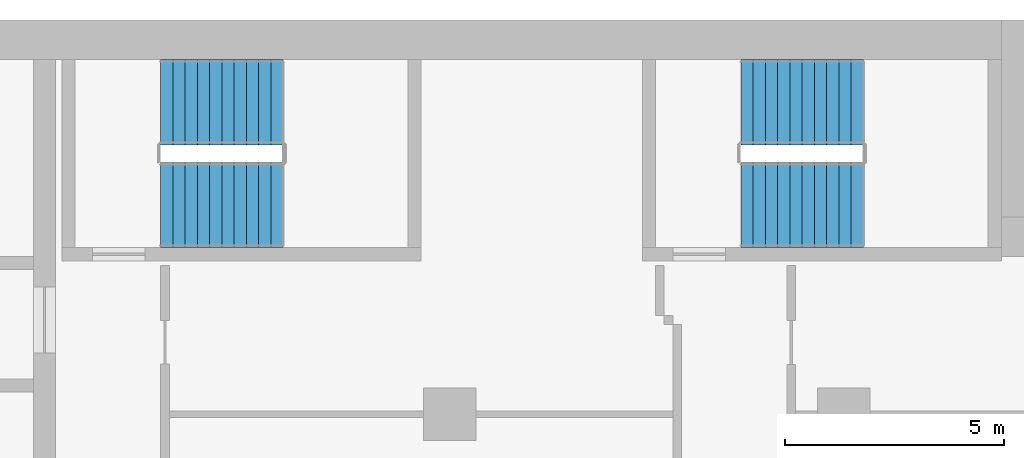
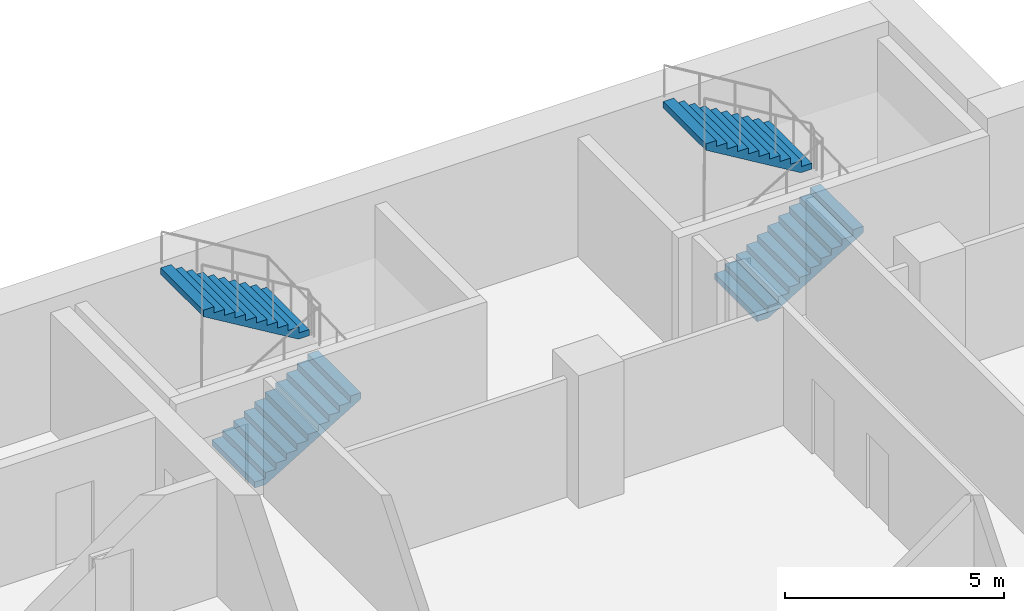
# One storey, part 18 of 23: 4 stair flights, 2 elements without a shape of their own.
"""IFC4 building model written with IfcOpenShell, lengths in metres."""

from ifc_helpers import new_model, si_unit, direction, frame, origin, place, context, subcontext, project, spatial, polyline, outline, extrude, material, type_object, element, aggregate, save


model = new_model("IFC4")

# Units and contexts
model_context = context("Model", 3, precision=1e-05, world=origin(), true_north=direction((0.0, 1.0)))
body_context = subcontext(model_context, "Body", "Model", "MODEL_VIEW")
ifc_project = project(units=[si_unit("LENGTHUNIT", "METRE"), si_unit("AREAUNIT", "SQUARE_METRE"), si_unit("VOLUMEUNIT", "CUBIC_METRE"), si_unit("PLANEANGLEUNIT", "RADIAN"), si_unit("MASSUNIT", "GRAM", prefix="KILO")], contexts=[model_context])

# Site, building, storey
site_placement = place(None, origin())
site = spatial("IfcSite", under=ifc_project, at=site_placement, CompositionType="ELEMENT")
building_placement = place(site_placement, origin())
building = spatial("IfcBuilding", under=site, at=building_placement, Name="Hunhe Ridgeline Campus", CompositionType="ELEMENT")
storey_placement = place(building_placement, frame((0.0, 0.0, 152.300048828125)))
storey = spatial("IfcBuildingStorey", under=building, at=storey_placement, Name="L38", CompositionType="ELEMENT", Elevation=152.300048828125)

# Stair, stair flights
ifc_material = material(Name="Concrete C40", Category="concrete")
stair_type = type_object("IfcStairType", Name="Reinforced concrete dog-leg stair 1950 Concrete C40", PredefinedType="HALF_TURN_STAIR", material=ifc_material)
stair_1_placement = place(storey_placement, origin())
stair_1 = element("IfcStair", 1, at=stair_1_placement, inside=storey, type_object=stair_type, Name="L38 E1", PredefinedType="HALF_TURN_STAIR")
stair_flight_type = type_object("IfcStairFlightType", Name="Reinforced concrete stair flight 1950 Concrete C40", PredefinedType="STRAIGHT", material=ifc_material)
stair_flight_1_placement = place(storey_placement, frame((38.39990234375, 94.77490234375, 0.0), z_axis=(0.0, 0.0, 1.0), x_axis=(1.0, 0.0, 0.0)))
stair_flight_1 = element("IfcStairFlight", 2, at=stair_flight_1_placement, type_object=stair_flight_type, Name="ST5 flight 1", NumberOfRisers=11, NumberOfTreads=10, PredefinedType="STRAIGHT", RiserHeight=0.168181818, TreadLength=0.28, context=body_context, shape_type="SweptSolid", body=[
    extrude(outline(polyline([(0.0, 0.0), (0.0, 0.168212890625), (0.280029296875, 0.168212890625), (0.280029296875, 0.33642578125), (0.56005859375, 0.33642578125), (0.56005859375, 0.504638671875), (0.840087890625, 0.504638671875), (0.840087890625, 0.672607421875), (1.1201171875, 0.672607421875), (1.1201171875, 0.8408203125), (1.39990234375, 0.8408203125), (1.39990234375, 1.009033203125), (1.679931640625, 1.009033203125), (1.679931640625, 1.17724609375), (1.9599609375, 1.17724609375), (1.9599609375, 1.345458984375), (2.239990234375, 1.345458984375), (2.239990234375, 1.513671875), (2.52001953125, 1.513671875), (2.52001953125, 1.681884765625), (2.800048828125, 1.681884765625), (2.800048828125, 1.85009765625), (2.800048828125, 1.5068359375), (0.291015625, 0.0), (0.0, 0.0)])), frame((0.0, 0.97509765625, 0.0), z_axis=(0.0, -1.0, 0.0), x_axis=(1.0, 0.0, 0.0)), (0.0, 0.0, 1.0), 1.949951171875),
    extrude(outline(polyline([(0.030029296875, 0.030029296875), (0.030029296875, 0.13818359375), (0.31005859375, 0.13818359375), (0.31005859375, 0.306396484375), (0.590087890625, 0.306396484375), (0.590087890625, 0.474609375), (0.8701171875, 0.474609375), (0.8701171875, 0.642578125), (1.14990234375, 0.642578125), (1.14990234375, 0.810791015625), (1.429931640625, 0.810791015625), (1.429931640625, 0.97900390625), (1.7099609375, 0.97900390625), (1.7099609375, 1.147216796875), (1.989990234375, 1.147216796875), (1.989990234375, 1.3154296875), (2.27001953125, 1.3154296875), (2.27001953125, 1.483642578125), (2.550048828125, 1.483642578125), (2.550048828125, 1.65185546875), (2.77001953125, 1.65185546875), (2.77001953125, 1.52392578125), (0.28271484375, 0.030029296875), (0.030029296875, 0.030029296875)])), frame((0.0, -0.070068359375, 0.0), z_axis=(0.0, -1.0, 0.0), x_axis=(1.0, 0.0, 0.0)), (0.0, 0.0, 1.0), 0.019775390625),
    extrude(outline(polyline([(0.030029296875, 0.030029296875), (0.030029296875, 0.13818359375), (0.31005859375, 0.13818359375), (0.31005859375, 0.306396484375), (0.590087890625, 0.306396484375), (0.590087890625, 0.474609375), (0.8701171875, 0.474609375), (0.8701171875, 0.642578125), (1.14990234375, 0.642578125), (1.14990234375, 0.810791015625), (1.429931640625, 0.810791015625), (1.429931640625, 0.97900390625), (1.7099609375, 0.97900390625), (1.7099609375, 1.147216796875), (1.989990234375, 1.147216796875), (1.989990234375, 1.3154296875), (2.27001953125, 1.3154296875), (2.27001953125, 1.483642578125), (2.550048828125, 1.483642578125), (2.550048828125, 1.65185546875), (2.77001953125, 1.65185546875), (2.77001953125, 1.52392578125), (0.28271484375, 0.030029296875), (0.030029296875, 0.030029296875)])), frame((0.0, 0.010009765625, 0.0), z_axis=(0.0, -1.0, 0.0), x_axis=(1.0, 0.0, 0.0)), (0.0, 0.0, 1.0), 0.019775390625),
    extrude(outline(polyline([(0.030029296875, 0.030029296875), (0.030029296875, 0.13818359375), (0.31005859375, 0.13818359375), (0.31005859375, 0.306396484375), (0.590087890625, 0.306396484375), (0.590087890625, 0.474609375), (0.8701171875, 0.474609375), (0.8701171875, 0.642578125), (1.14990234375, 0.642578125), (1.14990234375, 0.810791015625), (1.429931640625, 0.810791015625), (1.429931640625, 0.97900390625), (1.7099609375, 0.97900390625), (1.7099609375, 1.147216796875), (1.989990234375, 1.147216796875), (1.989990234375, 1.3154296875), (2.27001953125, 1.3154296875), (2.27001953125, 1.483642578125), (2.550048828125, 1.483642578125), (2.550048828125, 1.65185546875), (2.77001953125, 1.65185546875), (2.77001953125, 1.52392578125), (0.28271484375, 0.030029296875), (0.030029296875, 0.030029296875)])), frame((0.0, 0.090087890625, 0.0), z_axis=(0.0, -1.0, 0.0), x_axis=(1.0, 0.0, 0.0)), (0.0, 0.0, 1.0), 0.019775390625),
])
stair_flight_2_placement = place(storey_placement, frame((41.199951171875, 97.125, 1.849853515625), z_axis=(0.0, 0.0, 1.0), x_axis=(-1.0, 0.0, 0.0)))
stair_flight_2 = element("IfcStairFlight", 3, at=stair_flight_2_placement, type_object=stair_flight_type, Name="ST5 flight 2", NumberOfRisers=11, NumberOfTreads=10, PredefinedType="STRAIGHT", RiserHeight=0.168181818, TreadLength=0.28, context=body_context, shape_type="SweptSolid", body=[
    extrude(outline(polyline([(0.0, 0.0), (0.0, 0.168212890625), (0.280029296875, 0.168212890625), (0.280029296875, 0.33642578125), (0.56005859375, 0.33642578125), (0.56005859375, 0.504638671875), (0.840087890625, 0.504638671875), (0.840087890625, 0.672607421875), (1.1201171875, 0.672607421875), (1.1201171875, 0.8408203125), (1.39990234375, 0.8408203125), (1.39990234375, 1.009033203125), (1.679931640625, 1.009033203125), (1.679931640625, 1.17724609375), (1.9599609375, 1.17724609375), (1.9599609375, 1.345458984375), (2.239990234375, 1.345458984375), (2.239990234375, 1.513671875), (2.52001953125, 1.513671875), (2.52001953125, 1.681884765625), (2.800048828125, 1.681884765625), (2.800048828125, 1.85009765625), (2.800048828125, 1.5068359375), (0.291015625, 0.0), (0.0, 0.0)])), frame((0.0, 0.97509765625, 0.0), z_axis=(0.0, -1.0, 0.0), x_axis=(1.0, 0.0, 0.0)), (0.0, 0.0, 1.0), 1.949951171875),
    extrude(outline(polyline([(0.030029296875, 0.030029296875), (0.030029296875, 0.13818359375), (0.31005859375, 0.13818359375), (0.31005859375, 0.306396484375), (0.590087890625, 0.306396484375), (0.590087890625, 0.474609375), (0.8701171875, 0.474609375), (0.8701171875, 0.642578125), (1.14990234375, 0.642578125), (1.14990234375, 0.810791015625), (1.429931640625, 0.810791015625), (1.429931640625, 0.97900390625), (1.7099609375, 0.97900390625), (1.7099609375, 1.147216796875), (1.989990234375, 1.147216796875), (1.989990234375, 1.3154296875), (2.27001953125, 1.3154296875), (2.27001953125, 1.483642578125), (2.550048828125, 1.483642578125), (2.550048828125, 1.65185546875), (2.77001953125, 1.65185546875), (2.77001953125, 1.52392578125), (0.28271484375, 0.030029296875), (0.030029296875, 0.030029296875)])), frame((0.0, -0.070068359375, 0.0), z_axis=(0.0, -1.0, 0.0), x_axis=(1.0, 0.0, 0.0)), (0.0, 0.0, 1.0), 0.019775390625),
    extrude(outline(polyline([(0.030029296875, 0.030029296875), (0.030029296875, 0.13818359375), (0.31005859375, 0.13818359375), (0.31005859375, 0.306396484375), (0.590087890625, 0.306396484375), (0.590087890625, 0.474609375), (0.8701171875, 0.474609375), (0.8701171875, 0.642578125), (1.14990234375, 0.642578125), (1.14990234375, 0.810791015625), (1.429931640625, 0.810791015625), (1.429931640625, 0.97900390625), (1.7099609375, 0.97900390625), (1.7099609375, 1.147216796875), (1.989990234375, 1.147216796875), (1.989990234375, 1.3154296875), (2.27001953125, 1.3154296875), (2.27001953125, 1.483642578125), (2.550048828125, 1.483642578125), (2.550048828125, 1.65185546875), (2.77001953125, 1.65185546875), (2.77001953125, 1.52392578125), (0.28271484375, 0.030029296875), (0.030029296875, 0.030029296875)])), frame((0.0, 0.010009765625, 0.0), z_axis=(0.0, -1.0, 0.0), x_axis=(1.0, 0.0, 0.0)), (0.0, 0.0, 1.0), 0.019775390625),
    extrude(outline(polyline([(0.030029296875, 0.030029296875), (0.030029296875, 0.13818359375), (0.31005859375, 0.13818359375), (0.31005859375, 0.306396484375), (0.590087890625, 0.306396484375), (0.590087890625, 0.474609375), (0.8701171875, 0.474609375), (0.8701171875, 0.642578125), (1.14990234375, 0.642578125), (1.14990234375, 0.810791015625), (1.429931640625, 0.810791015625), (1.429931640625, 0.97900390625), (1.7099609375, 0.97900390625), (1.7099609375, 1.147216796875), (1.989990234375, 1.147216796875), (1.989990234375, 1.3154296875), (2.27001953125, 1.3154296875), (2.27001953125, 1.483642578125), (2.550048828125, 1.483642578125), (2.550048828125, 1.65185546875), (2.77001953125, 1.65185546875), (2.77001953125, 1.52392578125), (0.28271484375, 0.030029296875), (0.030029296875, 0.030029296875)])), frame((0.0, 0.090087890625, 0.0), z_axis=(0.0, -1.0, 0.0), x_axis=(1.0, 0.0, 0.0)), (0.0, 0.0, 1.0), 0.019775390625),
])
aggregate(stair_1, [stair_flight_1, stair_flight_2])

stair_2_placement = place(storey_placement, origin())
stair_2 = element("IfcStair", 4, at=stair_2_placement, inside=storey, type_object=stair_type, Name="L38 E2", PredefinedType="HALF_TURN_STAIR")
stair_flight_3_placement = place(storey_placement, frame((51.64990234375, 94.77490234375, 0.0), z_axis=(0.0, 0.0, 1.0), x_axis=(1.0, 0.0, 0.0)))
stair_flight_3 = element("IfcStairFlight", 5, at=stair_flight_3_placement, type_object=stair_flight_type, Name="ST6 flight 1", NumberOfRisers=11, NumberOfTreads=10, PredefinedType="STRAIGHT", RiserHeight=0.168181818, TreadLength=0.28, context=body_context, shape_type="SweptSolid", body=[
    extrude(outline(polyline([(0.0, 0.0), (0.0, 0.168212890625), (0.280029296875, 0.168212890625), (0.280029296875, 0.33642578125), (0.56005859375, 0.33642578125), (0.56005859375, 0.504638671875), (0.840087890625, 0.504638671875), (0.840087890625, 0.672607421875), (1.1201171875, 0.672607421875), (1.1201171875, 0.8408203125), (1.39990234375, 0.8408203125), (1.39990234375, 1.009033203125), (1.679931640625, 1.009033203125), (1.679931640625, 1.17724609375), (1.9599609375, 1.17724609375), (1.9599609375, 1.345458984375), (2.239990234375, 1.345458984375), (2.239990234375, 1.513671875), (2.52001953125, 1.513671875), (2.52001953125, 1.681884765625), (2.800048828125, 1.681884765625), (2.800048828125, 1.85009765625), (2.800048828125, 1.5068359375), (0.291015625, 0.0), (0.0, 0.0)])), frame((0.0, 0.97509765625, 0.0), z_axis=(0.0, -1.0, 0.0), x_axis=(1.0, 0.0, 0.0)), (0.0, 0.0, 1.0), 1.949951171875),
    extrude(outline(polyline([(0.030029296875, 0.030029296875), (0.030029296875, 0.13818359375), (0.31005859375, 0.13818359375), (0.31005859375, 0.306396484375), (0.590087890625, 0.306396484375), (0.590087890625, 0.474609375), (0.8701171875, 0.474609375), (0.8701171875, 0.642578125), (1.14990234375, 0.642578125), (1.14990234375, 0.810791015625), (1.429931640625, 0.810791015625), (1.429931640625, 0.97900390625), (1.7099609375, 0.97900390625), (1.7099609375, 1.147216796875), (1.989990234375, 1.147216796875), (1.989990234375, 1.3154296875), (2.27001953125, 1.3154296875), (2.27001953125, 1.483642578125), (2.550048828125, 1.483642578125), (2.550048828125, 1.65185546875), (2.77001953125, 1.65185546875), (2.77001953125, 1.52392578125), (0.28271484375, 0.030029296875), (0.030029296875, 0.030029296875)])), frame((0.0, -0.070068359375, 0.0), z_axis=(0.0, -1.0, 0.0), x_axis=(1.0, 0.0, 0.0)), (0.0, 0.0, 1.0), 0.019775390625),
    extrude(outline(polyline([(0.030029296875, 0.030029296875), (0.030029296875, 0.13818359375), (0.31005859375, 0.13818359375), (0.31005859375, 0.306396484375), (0.590087890625, 0.306396484375), (0.590087890625, 0.474609375), (0.8701171875, 0.474609375), (0.8701171875, 0.642578125), (1.14990234375, 0.642578125), (1.14990234375, 0.810791015625), (1.429931640625, 0.810791015625), (1.429931640625, 0.97900390625), (1.7099609375, 0.97900390625), (1.7099609375, 1.147216796875), (1.989990234375, 1.147216796875), (1.989990234375, 1.3154296875), (2.27001953125, 1.3154296875), (2.27001953125, 1.483642578125), (2.550048828125, 1.483642578125), (2.550048828125, 1.65185546875), (2.77001953125, 1.65185546875), (2.77001953125, 1.52392578125), (0.28271484375, 0.030029296875), (0.030029296875, 0.030029296875)])), frame((0.0, 0.010009765625, 0.0), z_axis=(0.0, -1.0, 0.0), x_axis=(1.0, 0.0, 0.0)), (0.0, 0.0, 1.0), 0.019775390625),
    extrude(outline(polyline([(0.030029296875, 0.030029296875), (0.030029296875, 0.13818359375), (0.31005859375, 0.13818359375), (0.31005859375, 0.306396484375), (0.590087890625, 0.306396484375), (0.590087890625, 0.474609375), (0.8701171875, 0.474609375), (0.8701171875, 0.642578125), (1.14990234375, 0.642578125), (1.14990234375, 0.810791015625), (1.429931640625, 0.810791015625), (1.429931640625, 0.97900390625), (1.7099609375, 0.97900390625), (1.7099609375, 1.147216796875), (1.989990234375, 1.147216796875), (1.989990234375, 1.3154296875), (2.27001953125, 1.3154296875), (2.27001953125, 1.483642578125), (2.550048828125, 1.483642578125), (2.550048828125, 1.65185546875), (2.77001953125, 1.65185546875), (2.77001953125, 1.52392578125), (0.28271484375, 0.030029296875), (0.030029296875, 0.030029296875)])), frame((0.0, 0.090087890625, 0.0), z_axis=(0.0, -1.0, 0.0), x_axis=(1.0, 0.0, 0.0)), (0.0, 0.0, 1.0), 0.019775390625),
])
stair_flight_4_placement = place(storey_placement, frame((54.449951171875, 97.125, 1.849853515625), z_axis=(0.0, 0.0, 1.0), x_axis=(-1.0, 0.0, 0.0)))
stair_flight_4 = element("IfcStairFlight", 6, at=stair_flight_4_placement, type_object=stair_flight_type, Name="ST6 flight 2", NumberOfRisers=11, NumberOfTreads=10, PredefinedType="STRAIGHT", RiserHeight=0.168181818, TreadLength=0.28, context=body_context, shape_type="SweptSolid", body=[
    extrude(outline(polyline([(0.0, 0.0), (0.0, 0.168212890625), (0.280029296875, 0.168212890625), (0.280029296875, 0.33642578125), (0.56005859375, 0.33642578125), (0.56005859375, 0.504638671875), (0.840087890625, 0.504638671875), (0.840087890625, 0.672607421875), (1.1201171875, 0.672607421875), (1.1201171875, 0.8408203125), (1.39990234375, 0.8408203125), (1.39990234375, 1.009033203125), (1.679931640625, 1.009033203125), (1.679931640625, 1.17724609375), (1.9599609375, 1.17724609375), (1.9599609375, 1.345458984375), (2.239990234375, 1.345458984375), (2.239990234375, 1.513671875), (2.52001953125, 1.513671875), (2.52001953125, 1.681884765625), (2.800048828125, 1.681884765625), (2.800048828125, 1.85009765625), (2.800048828125, 1.5068359375), (0.291015625, 0.0), (0.0, 0.0)])), frame((0.0, 0.97509765625, 0.0), z_axis=(0.0, -1.0, 0.0), x_axis=(1.0, 0.0, 0.0)), (0.0, 0.0, 1.0), 1.949951171875),
    extrude(outline(polyline([(0.030029296875, 0.030029296875), (0.030029296875, 0.13818359375), (0.31005859375, 0.13818359375), (0.31005859375, 0.306396484375), (0.590087890625, 0.306396484375), (0.590087890625, 0.474609375), (0.8701171875, 0.474609375), (0.8701171875, 0.642578125), (1.14990234375, 0.642578125), (1.14990234375, 0.810791015625), (1.429931640625, 0.810791015625), (1.429931640625, 0.97900390625), (1.7099609375, 0.97900390625), (1.7099609375, 1.147216796875), (1.989990234375, 1.147216796875), (1.989990234375, 1.3154296875), (2.27001953125, 1.3154296875), (2.27001953125, 1.483642578125), (2.550048828125, 1.483642578125), (2.550048828125, 1.65185546875), (2.77001953125, 1.65185546875), (2.77001953125, 1.52392578125), (0.28271484375, 0.030029296875), (0.030029296875, 0.030029296875)])), frame((0.0, -0.070068359375, 0.0), z_axis=(0.0, -1.0, 0.0), x_axis=(1.0, 0.0, 0.0)), (0.0, 0.0, 1.0), 0.019775390625),
    extrude(outline(polyline([(0.030029296875, 0.030029296875), (0.030029296875, 0.13818359375), (0.31005859375, 0.13818359375), (0.31005859375, 0.306396484375), (0.590087890625, 0.306396484375), (0.590087890625, 0.474609375), (0.8701171875, 0.474609375), (0.8701171875, 0.642578125), (1.14990234375, 0.642578125), (1.14990234375, 0.810791015625), (1.429931640625, 0.810791015625), (1.429931640625, 0.97900390625), (1.7099609375, 0.97900390625), (1.7099609375, 1.147216796875), (1.989990234375, 1.147216796875), (1.989990234375, 1.3154296875), (2.27001953125, 1.3154296875), (2.27001953125, 1.483642578125), (2.550048828125, 1.483642578125), (2.550048828125, 1.65185546875), (2.77001953125, 1.65185546875), (2.77001953125, 1.52392578125), (0.28271484375, 0.030029296875), (0.030029296875, 0.030029296875)])), frame((0.0, 0.010009765625, 0.0), z_axis=(0.0, -1.0, 0.0), x_axis=(1.0, 0.0, 0.0)), (0.0, 0.0, 1.0), 0.019775390625),
    extrude(outline(polyline([(0.030029296875, 0.030029296875), (0.030029296875, 0.13818359375), (0.31005859375, 0.13818359375), (0.31005859375, 0.306396484375), (0.590087890625, 0.306396484375), (0.590087890625, 0.474609375), (0.8701171875, 0.474609375), (0.8701171875, 0.642578125), (1.14990234375, 0.642578125), (1.14990234375, 0.810791015625), (1.429931640625, 0.810791015625), (1.429931640625, 0.97900390625), (1.7099609375, 0.97900390625), (1.7099609375, 1.147216796875), (1.989990234375, 1.147216796875), (1.989990234375, 1.3154296875), (2.27001953125, 1.3154296875), (2.27001953125, 1.483642578125), (2.550048828125, 1.483642578125), (2.550048828125, 1.65185546875), (2.77001953125, 1.65185546875), (2.77001953125, 1.52392578125), (0.28271484375, 0.030029296875), (0.030029296875, 0.030029296875)])), frame((0.0, 0.090087890625, 0.0), z_axis=(0.0, -1.0, 0.0), x_axis=(1.0, 0.0, 0.0)), (0.0, 0.0, 1.0), 0.019775390625),
])
aggregate(stair_2, [stair_flight_3, stair_flight_4])

save(model, "model.ifc")
